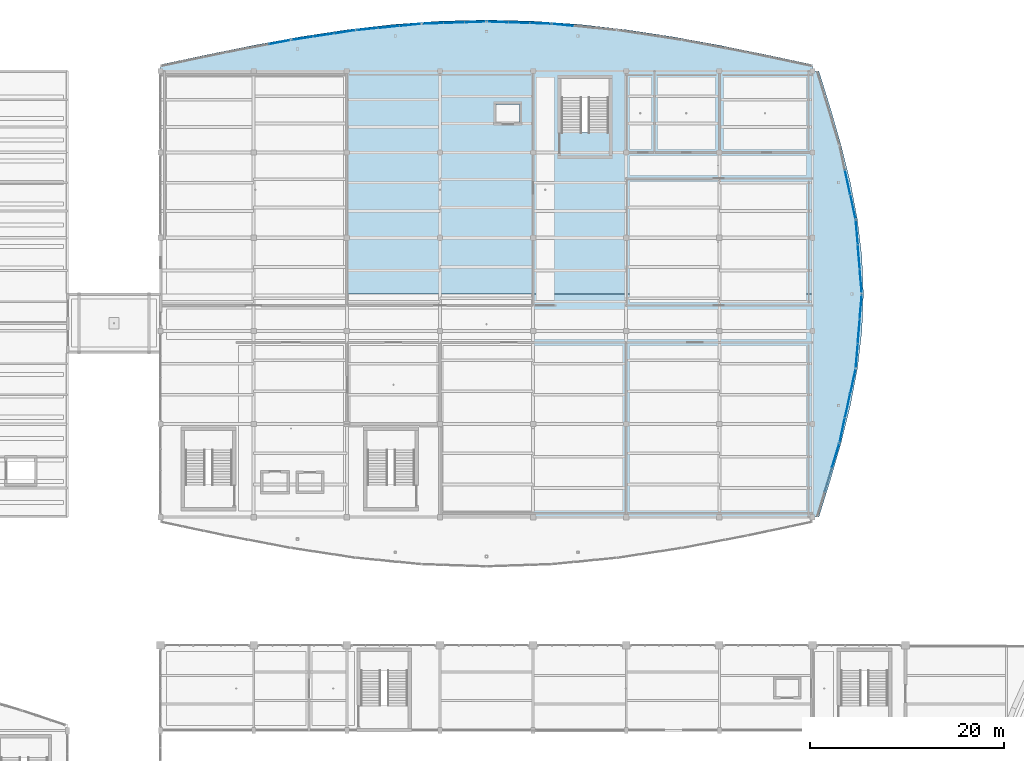
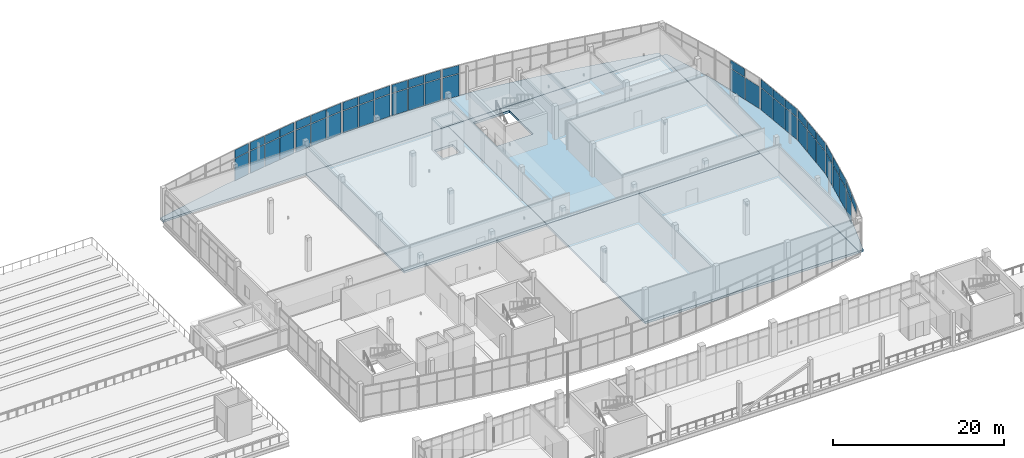
# One storey, part 124 of 157: 52 plates, 5 slabs, 11 elements without a shape of their own.
"""IFC4 building model written with IfcOpenShell, lengths in metres."""

from ifc_helpers import new_model, si_unit, direction, frame, origin, origin_2d, place, context, subcontext, project, spatial, polyline, rectangle, outline, extrude, material, layer, layer_set, type_object, element, aggregate, save


model = new_model("IFC4")

# Units and contexts
model_context = context("Model", 3, precision=1e-05, world=origin(), true_north=direction((0.0, 1.0)))
body_context = subcontext(model_context, "Body", "Model", "MODEL_VIEW")
ifc_project = project(units=[si_unit("LENGTHUNIT", "METRE"), si_unit("AREAUNIT", "SQUARE_METRE"), si_unit("VOLUMEUNIT", "CUBIC_METRE"), si_unit("PLANEANGLEUNIT", "RADIAN"), si_unit("MASSUNIT", "GRAM", prefix="KILO")], contexts=[model_context])

# Site, building, storey
site_placement = place(None, origin())
site = spatial("IfcSite", under=ifc_project, at=site_placement, CompositionType="ELEMENT")
building_placement = place(site_placement, origin())
building = spatial("IfcBuilding", under=site, at=building_placement, Name="Chalmorin Arch Market", CompositionType="ELEMENT")
storey_placement = place(building_placement, frame((0.0, 0.0, 4.800048828125)))
storey = spatial("IfcBuildingStorey", under=building, at=storey_placement, Name="L01", CompositionType="ELEMENT", Elevation=4.800048828125)

# Slabs
ifc_material_1 = material(Name="Concrete C40/50", Category="concrete")
ifc_layer_1 = layer(ifc_material_1, 0.320068359375)
ifc_layer_set_1 = layer_set([ifc_layer_1], Name="Concrete C40/50")
slab_type_1 = type_object("IfcSlabType", Name="KitchenHeavyFloorSlab-320", PredefinedType="FLOOR", material=ifc_layer_set_1)
slab_1_placement = place(storey_placement, frame((0.0, 0.0, -0.320068359375)))
element("IfcSlab", 1, at=slab_1_placement, inside=storey, type_object=slab_type_1, Name="FS-320-101", PredefinedType="FLOOR", context=body_context, shape_type="SweptSolid", body=[
    extrude(outline(polyline([(67.2099609375, 95.010009765625), (86.389892578125, 95.010009765625), (86.389892578125, 118.0), (67.2099609375, 118.0), (67.2099609375, 95.010009765625)]), holes=[polyline([(82.60009765625, 112.64990234375), (85.0, 112.64990234375), (85.0, 114.550048828125), (82.60009765625, 114.550048828125), (82.60009765625, 112.64990234375)])]), origin(), (0.0, 0.0, 1.0), 0.320068359375),
])
slab_2_placement = place(storey_placement, frame((0.0, 0.0, -0.320068359375)))
element("IfcSlab", 2, at=slab_2_placement, inside=storey, type_object=slab_type_1, Name="FS-320-102", PredefinedType="FLOOR", context=body_context, shape_type="SweptSolid", body=[
    extrude(outline(polyline([(86.409912109375, 72.0), (115.18994140625, 72.0), (115.18994140625, 94.989990234375), (86.409912109375, 94.989990234375), (86.409912109375, 72.0)])), origin(), (0.0, 0.0, 1.0), 0.320068359375),
])
slab_3_placement = place(storey_placement, frame((0.0, 0.0, -0.320068359375)))
element("IfcSlab", 3, at=slab_3_placement, inside=storey, type_object=slab_type_1, Name="FS-320-103", PredefinedType="FLOOR", context=body_context, shape_type="SweptSolid", body=[
    extrude(outline(polyline([(86.409912109375, 95.010009765625), (115.18994140625, 95.010009765625), (115.18994140625, 118.0), (86.409912109375, 118.0), (86.409912109375, 95.010009765625)]), holes=[polyline([(89.300048828125, 111.64990234375), (94.199951171875, 111.64990234375), (94.199951171875, 117.199951171875), (89.300048828125, 117.199951171875), (89.300048828125, 111.64990234375)])]), origin(), (0.0, 0.0, 1.0), 0.320068359375),
])

# Curtain wall, plates
ifc_material_2 = material(Name="Aluminium 6063-T6", Category="aluminium")
ifc_layer_2 = layer(ifc_material_2, 0.159912109375)
ifc_layer_set_2 = layer_set([ifc_layer_2], Name="Aluminium 6063-T6")
curtain_wall_type_1 = type_object("IfcCurtainWallType", Name="CulinaryStudioCurtainWall-CW3-7820x4520", PredefinedType="NOTDEFINED", material=ifc_layer_set_2)
curtain_wall_1_placement = place(storey_placement, origin())
curtain_wall_1 = element("IfcCurtainWall", 4, at=curtain_wall_1_placement, inside=storey, type_object=curtain_wall_type_1, Name="CW-03-179", PredefinedType="NOTDEFINED")
ifc_material_3 = material(Name="Powder-coated Aluminium Panel", Category="aluminium")
ifc_layer_3 = layer(ifc_material_3, 0.0400390625)
ifc_layer_set_3 = layer_set([ifc_layer_3], Name="Powder-coated Aluminium Panel")
plate_type_1 = type_object("IfcPlateType", Name="ShadowboxSpandrelPanel-40", PredefinedType="CURTAIN_PANEL", material=ifc_layer_set_3)
plate_1_placement = place(storey_placement, frame((116.830078125, 75.83349609375, 3.29931640625), z_axis=(0.0, 0.0, 1.0), x_axis=(0.292371704723, 0.956304755963, 0.0)))
plate_1 = element("IfcPlate", 5, at=plate_1_placement, type_object=plate_type_1, Name="SP-40-179-02B", PredefinedType="CURTAIN_PANEL", context=body_context, shape_type="SweptSolid", body=[
    extrude(rectangle(XDim=2.5283203125, YDim=0.0400390625, at=origin_2d()), origin(), (0.0, 0.0, 1.0), 1.150634765625),
])
plate_2_placement = place(storey_placement, frame((117.579345703125, 78.331787109375, 3.29931640625), z_axis=(0.0, 0.0, 1.0), x_axis=(0.292371704723, 0.956304755963, 0.0)))
plate_2 = element("IfcPlate", 6, at=plate_2_placement, type_object=plate_type_1, Name="SP-40-179-03B", PredefinedType="CURTAIN_PANEL", context=body_context, shape_type="SweptSolid", body=[
    extrude(rectangle(XDim=2.5283203125, YDim=0.0400390625, at=origin_2d()), origin(), (0.0, 0.0, 1.0), 1.150634765625),
])

ifc_layer_4 = layer(ifc_material_2, 0.159912109375)
ifc_layer_set_4 = layer_set([ifc_layer_4], Name="Aluminium 6063-T6")
curtain_wall_type_2 = type_object("IfcCurtainWallType", Name="CulinaryStudioCurtainWall-CW3-7670x4520", PredefinedType="NOTDEFINED", material=ifc_layer_set_4)
curtain_wall_2_placement = place(storey_placement, origin())
curtain_wall_2 = element("IfcCurtainWall", 7, at=curtain_wall_2_placement, inside=storey, type_object=curtain_wall_type_2, Name="CW-03-181", PredefinedType="NOTDEFINED")
plate_3_placement = place(storey_placement, frame((118.2734375, 81.00341796875, 3.29931640625), z_axis=(0.0, 0.0, 1.0), x_axis=(0.207911690818, 0.978147600734, 0.0)))
plate_3 = element("IfcPlate", 8, at=plate_3_placement, type_object=plate_type_1, Name="SP-40-181-01B", PredefinedType="CURTAIN_PANEL", context=body_context, shape_type="SweptSolid", body=[
    extrude(rectangle(XDim=2.476318359375, YDim=0.0400390625, at=origin_2d()), origin(), (0.0, 0.0, 1.0), 1.150634765625),
])
plate_4_placement = place(storey_placement, frame((118.822021484375, 83.5, 3.29931640625), z_axis=(0.0, 0.0, 1.0), x_axis=(0.207911690818, 0.978147600734, 0.0)))
plate_4 = element("IfcPlate", 9, at=plate_4_placement, type_object=plate_type_1, Name="SP-40-181-02B", PredefinedType="CURTAIN_PANEL", context=body_context, shape_type="SweptSolid", body=[
    extrude(rectangle(XDim=2.476318359375, YDim=0.0400390625, at=origin_2d()), origin(), (0.0, 0.0, 1.0), 1.150634765625),
])
plate_5_placement = place(storey_placement, frame((119.37060546875, 85.99658203125, 3.29931640625), z_axis=(0.0, 0.0, 1.0), x_axis=(0.207911690818, 0.978147600734, 0.0)))
plate_5 = element("IfcPlate", 10, at=plate_5_placement, type_object=plate_type_1, Name="SP-40-181-03B", PredefinedType="CURTAIN_PANEL", context=body_context, shape_type="SweptSolid", body=[
    extrude(rectangle(XDim=2.476318359375, YDim=0.0400390625, at=origin_2d()), origin(), (0.0, 0.0, 1.0), 1.150634765625),
])

ifc_layer_5 = layer(ifc_material_2, 0.159912109375)
ifc_layer_set_5 = layer_set([ifc_layer_5], Name="Aluminium 6063-T6")
curtain_wall_type_3 = type_object("IfcCurtainWallType", Name="CulinaryStudioCurtainWall-CW3-7510x4520", PredefinedType="NOTDEFINED", material=ifc_layer_set_5)
curtain_wall_3_placement = place(storey_placement, origin())
curtain_wall_3 = element("IfcCurtainWall", 11, at=curtain_wall_3_placement, inside=storey, type_object=curtain_wall_type_3, Name="CW-03-183", PredefinedType="NOTDEFINED")
plate_6_placement = place(storey_placement, frame((119.771484375, 88.670654296875, 3.29931640625), z_axis=(0.0, 0.0, 1.0), x_axis=(0.087155742748, 0.996194698092, 0.0)))
plate_6 = element("IfcPlate", 12, at=plate_6_placement, type_object=plate_type_1, Name="SP-40-183-01B", PredefinedType="CURTAIN_PANEL", context=body_context, shape_type="SweptSolid", body=[
    extrude(rectangle(XDim=2.423828125, YDim=0.0400390625, at=origin_2d()), origin(), (0.0, 0.0, 1.0), 1.150634765625),
])
plate_7_placement = place(storey_placement, frame((119.971923828125, 91.16650390625, 3.29931640625), z_axis=(0.0, 0.0, 1.0), x_axis=(0.087155742748, 0.996194698092, 0.0)))
plate_7 = element("IfcPlate", 13, at=plate_7_placement, type_object=plate_type_1, Name="SP-40-183-02B", PredefinedType="CURTAIN_PANEL", context=body_context, shape_type="SweptSolid", body=[
    extrude(rectangle(XDim=2.423828125, YDim=0.0400390625, at=origin_2d()), origin(), (0.0, 0.0, 1.0), 1.150634765625),
])
plate_8_placement = place(storey_placement, frame((120.172607421875, 93.662353515625, 3.29931640625), z_axis=(0.0, 0.0, 1.0), x_axis=(0.087155742748, 0.996194698092, 0.0)))
plate_8 = element("IfcPlate", 14, at=plate_8_placement, type_object=plate_type_1, Name="SP-40-183-03B", PredefinedType="CURTAIN_PANEL", context=body_context, shape_type="SweptSolid", body=[
    extrude(rectangle(XDim=2.423828125, YDim=0.0400390625, at=origin_2d()), origin(), (0.0, 0.0, 1.0), 1.150634765625),
])

curtain_wall_4_placement = place(storey_placement, origin())
curtain_wall_4 = element("IfcCurtainWall", 15, at=curtain_wall_4_placement, inside=storey, type_object=curtain_wall_type_3, Name="CW-03-185", PredefinedType="NOTDEFINED")
plate_9_placement = place(storey_placement, frame((120.172607421875, 96.337646484375, 3.29931640625), z_axis=(0.0, 0.0, 1.0), x_axis=(-0.087155742748, 0.996194698092, 0.0)))
plate_9 = element("IfcPlate", 16, at=plate_9_placement, type_object=plate_type_1, Name="SP-40-185-01B", PredefinedType="CURTAIN_PANEL", context=body_context, shape_type="SweptSolid", body=[
    extrude(rectangle(XDim=2.423828125, YDim=0.0400390625, at=origin_2d()), origin(), (0.0, 0.0, 1.0), 1.150634765625),
])
plate_10_placement = place(storey_placement, frame((119.971923828125, 98.83349609375, 3.29931640625), z_axis=(0.0, 0.0, 1.0), x_axis=(-0.087155742748, 0.996194698092, 0.0)))
plate_10 = element("IfcPlate", 17, at=plate_10_placement, type_object=plate_type_1, Name="SP-40-185-02B", PredefinedType="CURTAIN_PANEL", context=body_context, shape_type="SweptSolid", body=[
    extrude(rectangle(XDim=2.423828125, YDim=0.0400390625, at=origin_2d()), origin(), (0.0, 0.0, 1.0), 1.150634765625),
])
plate_11_placement = place(storey_placement, frame((119.771484375, 101.329345703125, 3.29931640625), z_axis=(0.0, 0.0, 1.0), x_axis=(-0.087155742748, 0.996194698092, 0.0)))
plate_11 = element("IfcPlate", 18, at=plate_11_placement, type_object=plate_type_1, Name="SP-40-185-03B", PredefinedType="CURTAIN_PANEL", context=body_context, shape_type="SweptSolid", body=[
    extrude(rectangle(XDim=2.423828125, YDim=0.0400390625, at=origin_2d()), origin(), (0.0, 0.0, 1.0), 1.150634765625),
])

# Curtain wall, plate
curtain_wall_5_placement = place(storey_placement, origin())
curtain_wall_5 = element("IfcCurtainWall", 19, at=curtain_wall_5_placement, inside=storey, type_object=curtain_wall_type_2, Name="CW-03-187", PredefinedType="NOTDEFINED")
plate_12_placement = place(storey_placement, frame((118.822021484375, 106.5, 3.29931640625), z_axis=(0.0, 0.0, 1.0), x_axis=(-0.207911690818, 0.978147600734, 0.0)))
plate_12 = element("IfcPlate", 20, at=plate_12_placement, type_object=plate_type_1, Name="SP-40-187-02B", PredefinedType="CURTAIN_PANEL", context=body_context, shape_type="SweptSolid", body=[
    extrude(rectangle(XDim=2.476318359375, YDim=0.0400390625, at=origin_2d()), origin(), (0.0, 0.0, 1.0), 1.150634765625),
])

# Slabs
ifc_layer_6 = layer(ifc_material_1, 0.280029296875)
ifc_layer_set_6 = layer_set([ifc_layer_6], Name="Concrete C40/50")
slab_type_2 = type_object("IfcSlabType", Name="SuspendedFloorSlab-280", PredefinedType="FLOOR", material=ifc_layer_set_6)
slab_4_placement = place(storey_placement, frame((0.0, 0.0, -0.280029296875)))
element("IfcSlab", 21, at=slab_4_placement, inside=storey, type_object=slab_type_2, Name="FS-280-134", PredefinedType="FLOOR", context=body_context, shape_type="SweptSolid", body=[
    extrude(outline(polyline([(48.0, 118.02001953125), (48.0, 118.64990234375), (52.800048828125, 119.674072265625), (57.60009765625, 120.64599609375), (62.39990234375, 121.51806640625), (67.199951171875, 122.24609375), (72.0, 122.7939453125), (76.800048828125, 123.135009765625), (81.60009765625, 123.25), (86.39990234375, 123.135009765625), (91.199951171875, 122.7939453125), (96.0, 122.24609375), (100.800048828125, 121.51806640625), (105.60009765625, 120.64599609375), (110.39990234375, 119.674072265625), (115.199951171875, 118.64990234375), (115.199951171875, 118.02001953125), (48.0, 118.02001953125)])), origin(), (0.0, 0.0, 1.0), 0.280029296875),
])
slab_5_placement = place(storey_placement, frame((0.0, 0.0, -0.280029296875)))
element("IfcSlab", 22, at=slab_5_placement, inside=storey, type_object=slab_type_2, Name="FS-280-136", PredefinedType="FLOOR", context=body_context, shape_type="SweptSolid", body=[
    extrude(outline(polyline([(115.219970703125, 72.0), (115.85009765625, 72.0), (117.041015625, 75.8330078125), (118.14990234375, 79.6669921875), (119.10302734375, 83.5), (119.833984375, 87.3330078125), (120.29296875, 91.1669921875), (120.449951171875, 95.0), (120.29296875, 98.8330078125), (119.833984375, 102.6669921875), (119.10302734375, 106.5), (118.14990234375, 110.3330078125), (117.041015625, 114.1669921875), (115.85009765625, 118.0), (115.219970703125, 118.0), (115.219970703125, 72.0)])), origin(), (0.0, 0.0, 1.0), 0.280029296875),
])

# Curtain wall, plate
ifc_layer_7 = layer(ifc_material_2, 0.159912109375)
ifc_layer_set_7 = layer_set([ifc_layer_7], Name="Aluminium 6063-T6")
curtain_wall_type_4 = type_object("IfcCurtainWallType", Name="CulinaryStudioCurtainWall-CW3-6660x4520", PredefinedType="NOTDEFINED", material=ifc_layer_set_7)
curtain_wall_6_placement = place(storey_placement, origin())
curtain_wall_6 = element("IfcCurtainWall", 23, at=curtain_wall_6_placement, inside=storey, type_object=curtain_wall_type_4, Name="CW-03-124", PredefinedType="NOTDEFINED")
ifc_material_4 = material(Name="Architectural Terracotta", Category="masonry")
ifc_layer_8 = layer(ifc_material_4, 0.044921875)
ifc_layer_set_8 = layer_set([ifc_layer_8], Name="Architectural Terracotta")
plate_type_2 = type_object("IfcPlateType", Name="TerracottaSpandrelPanel-45", PredefinedType="CURTAIN_PANEL", material=ifc_layer_set_8)
plate_13_placement = place(storey_placement, frame((60.260986328125, 120.958984375, 3.29931640625), z_axis=(0.0, 0.0, 1.0), x_axis=(0.981627183448, 0.190808995377, 0.0)))
plate_13 = element("IfcPlate", 24, at=plate_13_placement, type_object=plate_type_2, Name="SP-45-124-03B", PredefinedType="CURTAIN_PANEL", context=body_context, shape_type="SweptSolid", body=[
    extrude(rectangle(XDim=2.140380859375, YDim=0.044921875, at=origin_2d()), origin(), (0.0, 0.0, 1.0), 1.150634765625),
])

# Curtain wall, plates
ifc_layer_9 = layer(ifc_material_2, 0.159912109375)
ifc_layer_set_9 = layer_set([ifc_layer_9], Name="Aluminium 6063-T6")
curtain_wall_type_5 = type_object("IfcCurtainWallType", Name="CulinaryStudioCurtainWall-CW3-6620x4520", PredefinedType="NOTDEFINED", material=ifc_layer_set_9)
curtain_wall_7_placement = place(storey_placement, origin())
curtain_wall_7 = element("IfcCurtainWall", 25, at=curtain_wall_7_placement, inside=storey, type_object=curtain_wall_type_5, Name="CW-03-127", PredefinedType="NOTDEFINED")
plate_14_placement = place(storey_placement, frame((62.619384765625, 121.362548828125, 3.29931640625), z_axis=(0.0, 0.0, 1.0), x_axis=(0.987688340595, 0.15643446504, 0.0)))
plate_14 = element("IfcPlate", 26, at=plate_14_placement, type_object=plate_type_2, Name="SP-45-127-01B", PredefinedType="CURTAIN_PANEL", context=body_context, shape_type="SweptSolid", body=[
    extrude(rectangle(XDim=2.12548828125, YDim=0.044921875, at=origin_2d()), origin(), (0.0, 0.0, 1.0), 1.150634765625),
])
plate_15_placement = place(storey_placement, frame((64.800048828125, 121.6923828125, 3.29931640625), z_axis=(0.0, 0.0, 1.0), x_axis=(0.987688340595, 0.15643446504, 0.0)))
plate_15 = element("IfcPlate", 27, at=plate_15_placement, type_object=plate_type_2, Name="SP-45-127-02B", PredefinedType="CURTAIN_PANEL", context=body_context, shape_type="SweptSolid", body=[
    extrude(rectangle(XDim=2.12548828125, YDim=0.044921875, at=origin_2d()), origin(), (0.0, 0.0, 1.0), 1.150634765625),
])
plate_16_placement = place(storey_placement, frame((66.980712890625, 122.0224609375, 3.29931640625), z_axis=(0.0, 0.0, 1.0), x_axis=(0.987688340595, 0.15643446504, 0.0)))
plate_16 = element("IfcPlate", 28, at=plate_16_placement, type_object=plate_type_2, Name="SP-45-127-03B", PredefinedType="CURTAIN_PANEL", context=body_context, shape_type="SweptSolid", body=[
    extrude(rectangle(XDim=2.12548828125, YDim=0.044921875, at=origin_2d()), origin(), (0.0, 0.0, 1.0), 1.150634765625),
])

ifc_layer_10 = layer(ifc_material_2, 0.159912109375)
ifc_layer_set_10 = layer_set([ifc_layer_10], Name="Aluminium 6063-T6")
curtain_wall_type_6 = type_object("IfcCurtainWallType", Name="CulinaryStudioCurtainWall-CW3-6570x4520", PredefinedType="NOTDEFINED", material=ifc_layer_set_10)
curtain_wall_8_placement = place(storey_placement, origin())
curtain_wall_8 = element("IfcCurtainWall", 29, at=curtain_wall_8_placement, inside=storey, type_object=curtain_wall_type_6, Name="CW-03-130", PredefinedType="NOTDEFINED")
plate_17_placement = place(storey_placement, frame((69.339599609375, 122.31591796875, 3.29931640625), z_axis=(0.0, 0.0, 1.0), x_axis=(0.994521895368, 0.104528463268, 0.0)))
plate_17 = element("IfcPlate", 30, at=plate_17_placement, type_object=plate_type_2, Name="SP-45-130-01B", PredefinedType="CURTAIN_PANEL", context=body_context, shape_type="SweptSolid", body=[
    extrude(rectangle(XDim=2.110595703125, YDim=0.044921875, at=origin_2d()), origin(), (0.0, 0.0, 1.0), 1.150634765625),
])
plate_18_placement = place(storey_placement, frame((71.52001953125, 122.528076171875, 3.29931640625), z_axis=(0.0, 0.0, 1.0), x_axis=(0.994521895368, 0.104528463268, 0.0)))
plate_18 = element("IfcPlate", 31, at=plate_18_placement, type_object=plate_type_2, Name="SP-45-130-02B", PredefinedType="CURTAIN_PANEL", context=body_context, shape_type="SweptSolid", body=[
    extrude(rectangle(XDim=2.110595703125, YDim=0.044921875, at=origin_2d()), origin(), (0.0, 0.0, 1.0), 1.150634765625),
])
plate_19_placement = place(storey_placement, frame((73.7001953125, 122.740234375, 3.29931640625), z_axis=(0.0, 0.0, 1.0), x_axis=(0.994521895368, 0.104528463268, 0.0)))
plate_19 = element("IfcPlate", 32, at=plate_19_placement, type_object=plate_type_2, Name="SP-45-130-03B", PredefinedType="CURTAIN_PANEL", context=body_context, shape_type="SweptSolid", body=[
    extrude(rectangle(XDim=2.110595703125, YDim=0.044921875, at=origin_2d()), origin(), (0.0, 0.0, 1.0), 1.150634765625),
])

ifc_layer_11 = layer(ifc_material_2, 0.159912109375)
ifc_layer_set_11 = layer_set([ifc_layer_11], Name="Aluminium 6063-T6")
curtain_wall_type_7 = type_object("IfcCurtainWallType", Name="CulinaryStudioCurtainWall-CW3-6540x4520", PredefinedType="NOTDEFINED", material=ifc_layer_set_11)
curtain_wall_9_placement = place(storey_placement, origin())
curtain_wall_9 = element("IfcCurtainWall", 33, at=curtain_wall_9_placement, inside=storey, type_object=curtain_wall_type_7, Name="CW-03-133", PredefinedType="NOTDEFINED")
plate_20_placement = place(storey_placement, frame((76.059814453125, 122.89453125, 3.29931640625), z_axis=(0.0, 0.0, 1.0), x_axis=(0.999390827019, 0.034899496703, 0.0)))
plate_20 = element("IfcPlate", 34, at=plate_20_placement, type_object=plate_type_2, Name="SP-45-133-01B", PredefinedType="CURTAIN_PANEL", context=body_context, shape_type="SweptSolid", body=[
    extrude(rectangle(XDim=2.101318359375, YDim=0.044921875, at=origin_2d()), origin(), (0.0, 0.0, 1.0), 1.150634765625),
])
plate_21_placement = place(storey_placement, frame((78.239990234375, 122.967529296875, 3.29931640625), z_axis=(0.0, 0.0, 1.0), x_axis=(0.999390827019, 0.034899496703, 0.0)))
plate_21 = element("IfcPlate", 35, at=plate_21_placement, type_object=plate_type_2, Name="SP-45-133-02B", PredefinedType="CURTAIN_PANEL", context=body_context, shape_type="SweptSolid", body=[
    extrude(rectangle(XDim=2.101318359375, YDim=0.044921875, at=origin_2d()), origin(), (0.0, 0.0, 1.0), 1.150634765625),
])
plate_22_placement = place(storey_placement, frame((80.420166015625, 123.04052734375, 3.29931640625), z_axis=(0.0, 0.0, 1.0), x_axis=(0.999390827019, 0.034899496703, 0.0)))
plate_22 = element("IfcPlate", 36, at=plate_22_placement, type_object=plate_type_2, Name="SP-45-133-03B", PredefinedType="CURTAIN_PANEL", context=body_context, shape_type="SweptSolid", body=[
    extrude(rectangle(XDim=2.101318359375, YDim=0.044921875, at=origin_2d()), origin(), (0.0, 0.0, 1.0), 1.150634765625),
])

curtain_wall_10_placement = place(storey_placement, origin())
curtain_wall_10 = element("IfcCurtainWall", 37, at=curtain_wall_10_placement, inside=storey, type_object=curtain_wall_type_7, Name="CW-03-136", PredefinedType="NOTDEFINED")
plate_23_placement = place(storey_placement, frame((82.77978515625, 123.04052734375, 3.29931640625), z_axis=(0.0, 0.0, 1.0), x_axis=(0.999390827019, -0.034899496703, 0.0)))
plate_23 = element("IfcPlate", 38, at=plate_23_placement, type_object=plate_type_2, Name="SP-45-136-01B", PredefinedType="CURTAIN_PANEL", context=body_context, shape_type="SweptSolid", body=[
    extrude(rectangle(XDim=2.101318359375, YDim=0.044921875, at=origin_2d()), origin(), (0.0, 0.0, 1.0), 1.150634765625),
])
plate_24_placement = place(storey_placement, frame((84.9599609375, 122.967529296875, 3.29931640625), z_axis=(0.0, 0.0, 1.0), x_axis=(0.999390827019, -0.034899496703, 0.0)))
plate_24 = element("IfcPlate", 39, at=plate_24_placement, type_object=plate_type_2, Name="SP-45-136-02B", PredefinedType="CURTAIN_PANEL", context=body_context, shape_type="SweptSolid", body=[
    extrude(rectangle(XDim=2.101318359375, YDim=0.044921875, at=origin_2d()), origin(), (0.0, 0.0, 1.0), 1.150634765625),
])
plate_25_placement = place(storey_placement, frame((87.14013671875, 122.89453125, 3.29931640625), z_axis=(0.0, 0.0, 1.0), x_axis=(0.999390827019, -0.034899496703, 0.0)))
plate_25 = element("IfcPlate", 40, at=plate_25_placement, type_object=plate_type_2, Name="SP-45-136-03B", PredefinedType="CURTAIN_PANEL", context=body_context, shape_type="SweptSolid", body=[
    extrude(rectangle(XDim=2.101318359375, YDim=0.044921875, at=origin_2d()), origin(), (0.0, 0.0, 1.0), 1.150634765625),
])

# Curtain wall, plate
curtain_wall_11_placement = place(storey_placement, origin())
curtain_wall_11 = element("IfcCurtainWall", 41, at=curtain_wall_11_placement, inside=storey, type_object=curtain_wall_type_6, Name="CW-03-139", PredefinedType="NOTDEFINED")
plate_26_placement = place(storey_placement, frame((89.499755859375, 122.740234375, 3.29931640625), z_axis=(0.0, 0.0, 1.0), x_axis=(0.994521895368, -0.104528463268, 0.0)))
plate_26 = element("IfcPlate", 42, at=plate_26_placement, type_object=plate_type_2, Name="SP-45-139-01B", PredefinedType="CURTAIN_PANEL", context=body_context, shape_type="SweptSolid", body=[
    extrude(rectangle(XDim=2.110595703125, YDim=0.044921875, at=origin_2d()), origin(), (0.0, 0.0, 1.0), 1.150634765625),
])

# Plate
ifc_material_5 = material(Name="Low-E Tempered Glass", Category="glass")
ifc_layer_12 = layer(ifc_material_5, 0.028076171875)
ifc_layer_set_12 = layer_set([ifc_layer_12], Name="Low-E Tempered Glass")
plate_type_3 = type_object("IfcPlateType", Name="VisionIGUPanel-28", PredefinedType="CURTAIN_PANEL", material=ifc_layer_set_12)
plate_27_placement = place(storey_placement, frame((60.260986328125, 120.958984375, 0.06982421875), z_axis=(0.0, 0.0, 1.0), x_axis=(0.981627183448, 0.190808995377, 0.0)))
plate_27 = element("IfcPlate", 43, at=plate_27_placement, type_object=plate_type_3, Name="GL-28-124-03A", PredefinedType="CURTAIN_PANEL", context=body_context, shape_type="SweptSolid", body=[
    extrude(rectangle(XDim=2.140380859375, YDim=0.028076171875, at=origin_2d()), origin(), (0.0, 0.0, 1.0), 3.139404296875),
])

aggregate(curtain_wall_6, [plate_27, plate_13])

plate_28_placement = place(storey_placement, frame((62.619384765625, 121.362548828125, 0.06982421875), z_axis=(0.0, 0.0, 1.0), x_axis=(0.987688340595, 0.15643446504, 0.0)))
plate_28 = element("IfcPlate", 44, at=plate_28_placement, type_object=plate_type_3, Name="GL-28-127-01A", PredefinedType="CURTAIN_PANEL", context=body_context, shape_type="SweptSolid", body=[
    extrude(rectangle(XDim=2.12548828125, YDim=0.028076171875, at=origin_2d()), origin(), (0.0, 0.0, 1.0), 3.139404296875),
])

plate_29_placement = place(storey_placement, frame((64.800048828125, 121.6923828125, 0.06982421875), z_axis=(0.0, 0.0, 1.0), x_axis=(0.987688340595, 0.15643446504, 0.0)))
plate_29 = element("IfcPlate", 45, at=plate_29_placement, type_object=plate_type_3, Name="GL-28-127-02A", PredefinedType="CURTAIN_PANEL", context=body_context, shape_type="SweptSolid", body=[
    extrude(rectangle(XDim=2.12548828125, YDim=0.028076171875, at=origin_2d()), origin(), (0.0, 0.0, 1.0), 3.139404296875),
])

plate_30_placement = place(storey_placement, frame((66.980712890625, 122.0224609375, 0.06982421875), z_axis=(0.0, 0.0, 1.0), x_axis=(0.987688340595, 0.15643446504, 0.0)))
plate_30 = element("IfcPlate", 46, at=plate_30_placement, type_object=plate_type_3, Name="GL-28-127-03A", PredefinedType="CURTAIN_PANEL", context=body_context, shape_type="SweptSolid", body=[
    extrude(rectangle(XDim=2.12548828125, YDim=0.028076171875, at=origin_2d()), origin(), (0.0, 0.0, 1.0), 3.139404296875),
])

aggregate(curtain_wall_7, [plate_28, plate_14, plate_29, plate_15, plate_30, plate_16])

plate_31_placement = place(storey_placement, frame((69.339599609375, 122.31591796875, 0.06982421875), z_axis=(0.0, 0.0, 1.0), x_axis=(0.994521895368, 0.104528463268, 0.0)))
plate_31 = element("IfcPlate", 47, at=plate_31_placement, type_object=plate_type_3, Name="GL-28-130-01A", PredefinedType="CURTAIN_PANEL", context=body_context, shape_type="SweptSolid", body=[
    extrude(rectangle(XDim=2.110595703125, YDim=0.028076171875, at=origin_2d()), origin(), (0.0, 0.0, 1.0), 3.139404296875),
])

plate_32_placement = place(storey_placement, frame((71.52001953125, 122.528076171875, 0.06982421875), z_axis=(0.0, 0.0, 1.0), x_axis=(0.994521895368, 0.104528463268, 0.0)))
plate_32 = element("IfcPlate", 48, at=plate_32_placement, type_object=plate_type_3, Name="GL-28-130-02A", PredefinedType="CURTAIN_PANEL", context=body_context, shape_type="SweptSolid", body=[
    extrude(rectangle(XDim=2.110595703125, YDim=0.028076171875, at=origin_2d()), origin(), (0.0, 0.0, 1.0), 3.139404296875),
])

plate_33_placement = place(storey_placement, frame((73.7001953125, 122.740234375, 0.06982421875), z_axis=(0.0, 0.0, 1.0), x_axis=(0.994521895368, 0.104528463268, 0.0)))
plate_33 = element("IfcPlate", 49, at=plate_33_placement, type_object=plate_type_3, Name="GL-28-130-03A", PredefinedType="CURTAIN_PANEL", context=body_context, shape_type="SweptSolid", body=[
    extrude(rectangle(XDim=2.110595703125, YDim=0.028076171875, at=origin_2d()), origin(), (0.0, 0.0, 1.0), 3.139404296875),
])

aggregate(curtain_wall_8, [plate_31, plate_17, plate_32, plate_18, plate_33, plate_19])

plate_34_placement = place(storey_placement, frame((76.059814453125, 122.89453125, 0.06982421875), z_axis=(0.0, 0.0, 1.0), x_axis=(0.999390827019, 0.034899496703, 0.0)))
plate_34 = element("IfcPlate", 50, at=plate_34_placement, type_object=plate_type_3, Name="GL-28-133-01A", PredefinedType="CURTAIN_PANEL", context=body_context, shape_type="SweptSolid", body=[
    extrude(rectangle(XDim=2.101318359375, YDim=0.028076171875, at=origin_2d()), origin(), (0.0, 0.0, 1.0), 3.139404296875),
])

plate_35_placement = place(storey_placement, frame((78.239990234375, 122.967529296875, 0.06982421875), z_axis=(0.0, 0.0, 1.0), x_axis=(0.999390827019, 0.034899496703, 0.0)))
plate_35 = element("IfcPlate", 51, at=plate_35_placement, type_object=plate_type_3, Name="GL-28-133-02A", PredefinedType="CURTAIN_PANEL", context=body_context, shape_type="SweptSolid", body=[
    extrude(rectangle(XDim=2.101318359375, YDim=0.028076171875, at=origin_2d()), origin(), (0.0, 0.0, 1.0), 3.139404296875),
])

plate_36_placement = place(storey_placement, frame((80.420166015625, 123.04052734375, 0.06982421875), z_axis=(0.0, 0.0, 1.0), x_axis=(0.999390827019, 0.034899496703, 0.0)))
plate_36 = element("IfcPlate", 52, at=plate_36_placement, type_object=plate_type_3, Name="GL-28-133-03A", PredefinedType="CURTAIN_PANEL", context=body_context, shape_type="SweptSolid", body=[
    extrude(rectangle(XDim=2.101318359375, YDim=0.028076171875, at=origin_2d()), origin(), (0.0, 0.0, 1.0), 3.139404296875),
])

aggregate(curtain_wall_9, [plate_34, plate_20, plate_35, plate_21, plate_36, plate_22])

plate_37_placement = place(storey_placement, frame((82.77978515625, 123.04052734375, 0.06982421875), z_axis=(0.0, 0.0, 1.0), x_axis=(0.999390827019, -0.034899496703, 0.0)))
plate_37 = element("IfcPlate", 53, at=plate_37_placement, type_object=plate_type_3, Name="GL-28-136-01A", PredefinedType="CURTAIN_PANEL", context=body_context, shape_type="SweptSolid", body=[
    extrude(rectangle(XDim=2.101318359375, YDim=0.028076171875, at=origin_2d()), origin(), (0.0, 0.0, 1.0), 3.139404296875),
])

plate_38_placement = place(storey_placement, frame((84.9599609375, 122.967529296875, 0.06982421875), z_axis=(0.0, 0.0, 1.0), x_axis=(0.999390827019, -0.034899496703, 0.0)))
plate_38 = element("IfcPlate", 54, at=plate_38_placement, type_object=plate_type_3, Name="GL-28-136-02A", PredefinedType="CURTAIN_PANEL", context=body_context, shape_type="SweptSolid", body=[
    extrude(rectangle(XDim=2.101318359375, YDim=0.028076171875, at=origin_2d()), origin(), (0.0, 0.0, 1.0), 3.139404296875),
])

plate_39_placement = place(storey_placement, frame((87.14013671875, 122.89453125, 0.06982421875), z_axis=(0.0, 0.0, 1.0), x_axis=(0.999390827019, -0.034899496703, 0.0)))
plate_39 = element("IfcPlate", 55, at=plate_39_placement, type_object=plate_type_3, Name="GL-28-136-03A", PredefinedType="CURTAIN_PANEL", context=body_context, shape_type="SweptSolid", body=[
    extrude(rectangle(XDim=2.101318359375, YDim=0.028076171875, at=origin_2d()), origin(), (0.0, 0.0, 1.0), 3.139404296875),
])

aggregate(curtain_wall_10, [plate_37, plate_23, plate_38, plate_24, plate_39, plate_25])

plate_40_placement = place(storey_placement, frame((89.499755859375, 122.740234375, 0.06982421875), z_axis=(0.0, 0.0, 1.0), x_axis=(0.994521895368, -0.104528463268, 0.0)))
plate_40 = element("IfcPlate", 56, at=plate_40_placement, type_object=plate_type_3, Name="GL-28-139-01A", PredefinedType="CURTAIN_PANEL", context=body_context, shape_type="SweptSolid", body=[
    extrude(rectangle(XDim=2.110595703125, YDim=0.028076171875, at=origin_2d()), origin(), (0.0, 0.0, 1.0), 3.139404296875),
])

aggregate(curtain_wall_11, [plate_40, plate_26])

plate_41_placement = place(storey_placement, frame((117.579345703125, 78.331787109375, 0.06982421875), z_axis=(0.0, 0.0, 1.0), x_axis=(0.292371704723, 0.956304755963, 0.0)))
plate_41 = element("IfcPlate", 57, at=plate_41_placement, type_object=plate_type_3, Name="GL-28-179-03A", PredefinedType="CURTAIN_PANEL", context=body_context, shape_type="SweptSolid", body=[
    extrude(rectangle(XDim=2.5283203125, YDim=0.028076171875, at=origin_2d()), origin(), (0.0, 0.0, 1.0), 3.139404296875),
])

aggregate(curtain_wall_1, [plate_1, plate_41, plate_2])

plate_42_placement = place(storey_placement, frame((118.2734375, 81.00341796875, 0.06982421875), z_axis=(0.0, 0.0, 1.0), x_axis=(0.207911690818, 0.978147600734, 0.0)))
plate_42 = element("IfcPlate", 58, at=plate_42_placement, type_object=plate_type_3, Name="GL-28-181-01A", PredefinedType="CURTAIN_PANEL", context=body_context, shape_type="SweptSolid", body=[
    extrude(rectangle(XDim=2.476318359375, YDim=0.028076171875, at=origin_2d()), origin(), (0.0, 0.0, 1.0), 3.139404296875),
])

plate_43_placement = place(storey_placement, frame((118.822021484375, 83.5, 0.06982421875), z_axis=(0.0, 0.0, 1.0), x_axis=(0.207911690818, 0.978147600734, 0.0)))
plate_43 = element("IfcPlate", 59, at=plate_43_placement, type_object=plate_type_3, Name="GL-28-181-02A", PredefinedType="CURTAIN_PANEL", context=body_context, shape_type="SweptSolid", body=[
    extrude(rectangle(XDim=2.476318359375, YDim=0.028076171875, at=origin_2d()), origin(), (0.0, 0.0, 1.0), 3.139404296875),
])

plate_44_placement = place(storey_placement, frame((119.37060546875, 85.99658203125, 0.06982421875), z_axis=(0.0, 0.0, 1.0), x_axis=(0.207911690818, 0.978147600734, 0.0)))
plate_44 = element("IfcPlate", 60, at=plate_44_placement, type_object=plate_type_3, Name="GL-28-181-03A", PredefinedType="CURTAIN_PANEL", context=body_context, shape_type="SweptSolid", body=[
    extrude(rectangle(XDim=2.476318359375, YDim=0.028076171875, at=origin_2d()), origin(), (0.0, 0.0, 1.0), 3.139404296875),
])

aggregate(curtain_wall_2, [plate_42, plate_3, plate_43, plate_4, plate_44, plate_5])

plate_45_placement = place(storey_placement, frame((119.771484375, 88.670654296875, 0.06982421875), z_axis=(0.0, 0.0, 1.0), x_axis=(0.087155742748, 0.996194698092, 0.0)))
plate_45 = element("IfcPlate", 61, at=plate_45_placement, type_object=plate_type_3, Name="GL-28-183-01A", PredefinedType="CURTAIN_PANEL", context=body_context, shape_type="SweptSolid", body=[
    extrude(rectangle(XDim=2.423828125, YDim=0.028076171875, at=origin_2d()), origin(), (0.0, 0.0, 1.0), 3.139404296875),
])

plate_46_placement = place(storey_placement, frame((119.971923828125, 91.16650390625, 0.06982421875), z_axis=(0.0, 0.0, 1.0), x_axis=(0.087155742748, 0.996194698092, 0.0)))
plate_46 = element("IfcPlate", 62, at=plate_46_placement, type_object=plate_type_3, Name="GL-28-183-02A", PredefinedType="CURTAIN_PANEL", context=body_context, shape_type="SweptSolid", body=[
    extrude(rectangle(XDim=2.423828125, YDim=0.028076171875, at=origin_2d()), origin(), (0.0, 0.0, 1.0), 3.139404296875),
])

plate_47_placement = place(storey_placement, frame((120.172607421875, 93.662353515625, 0.06982421875), z_axis=(0.0, 0.0, 1.0), x_axis=(0.087155742748, 0.996194698092, 0.0)))
plate_47 = element("IfcPlate", 63, at=plate_47_placement, type_object=plate_type_3, Name="GL-28-183-03A", PredefinedType="CURTAIN_PANEL", context=body_context, shape_type="SweptSolid", body=[
    extrude(rectangle(XDim=2.423828125, YDim=0.028076171875, at=origin_2d()), origin(), (0.0, 0.0, 1.0), 3.139404296875),
])

aggregate(curtain_wall_3, [plate_45, plate_6, plate_46, plate_7, plate_47, plate_8])

plate_48_placement = place(storey_placement, frame((120.172607421875, 96.337646484375, 0.06982421875), z_axis=(0.0, 0.0, 1.0), x_axis=(-0.087155742748, 0.996194698092, 0.0)))
plate_48 = element("IfcPlate", 64, at=plate_48_placement, type_object=plate_type_3, Name="GL-28-185-01A", PredefinedType="CURTAIN_PANEL", context=body_context, shape_type="SweptSolid", body=[
    extrude(rectangle(XDim=2.423828125, YDim=0.028076171875, at=origin_2d()), origin(), (0.0, 0.0, 1.0), 3.139404296875),
])

plate_49_placement = place(storey_placement, frame((119.971923828125, 98.83349609375, 0.06982421875), z_axis=(0.0, 0.0, 1.0), x_axis=(-0.087155742748, 0.996194698092, 0.0)))
plate_49 = element("IfcPlate", 65, at=plate_49_placement, type_object=plate_type_3, Name="GL-28-185-02A", PredefinedType="CURTAIN_PANEL", context=body_context, shape_type="SweptSolid", body=[
    extrude(rectangle(XDim=2.423828125, YDim=0.028076171875, at=origin_2d()), origin(), (0.0, 0.0, 1.0), 3.139404296875),
])

plate_50_placement = place(storey_placement, frame((119.771484375, 101.329345703125, 0.06982421875), z_axis=(0.0, 0.0, 1.0), x_axis=(-0.087155742748, 0.996194698092, 0.0)))
plate_50 = element("IfcPlate", 66, at=plate_50_placement, type_object=plate_type_3, Name="GL-28-185-03A", PredefinedType="CURTAIN_PANEL", context=body_context, shape_type="SweptSolid", body=[
    extrude(rectangle(XDim=2.423828125, YDim=0.028076171875, at=origin_2d()), origin(), (0.0, 0.0, 1.0), 3.139404296875),
])

aggregate(curtain_wall_4, [plate_48, plate_9, plate_49, plate_10, plate_50, plate_11])

plate_51_placement = place(storey_placement, frame((119.37060546875, 104.00341796875, 0.06982421875), z_axis=(0.0, 0.0, 1.0), x_axis=(-0.207911690818, 0.978147600734, 0.0)))
plate_51 = element("IfcPlate", 67, at=plate_51_placement, type_object=plate_type_3, Name="GL-28-187-01A", PredefinedType="CURTAIN_PANEL", context=body_context, shape_type="SweptSolid", body=[
    extrude(rectangle(XDim=2.476318359375, YDim=0.028076171875, at=origin_2d()), origin(), (0.0, 0.0, 1.0), 3.139404296875),
])

plate_52_placement = place(storey_placement, frame((118.822021484375, 106.5, 0.06982421875), z_axis=(0.0, 0.0, 1.0), x_axis=(-0.207911690818, 0.978147600734, 0.0)))
plate_52 = element("IfcPlate", 68, at=plate_52_placement, type_object=plate_type_3, Name="GL-28-187-02A", PredefinedType="CURTAIN_PANEL", context=body_context, shape_type="SweptSolid", body=[
    extrude(rectangle(XDim=2.476318359375, YDim=0.028076171875, at=origin_2d()), origin(), (0.0, 0.0, 1.0), 3.139404296875),
])

aggregate(curtain_wall_5, [plate_51, plate_52, plate_12])

save(model, "model.ifc")
